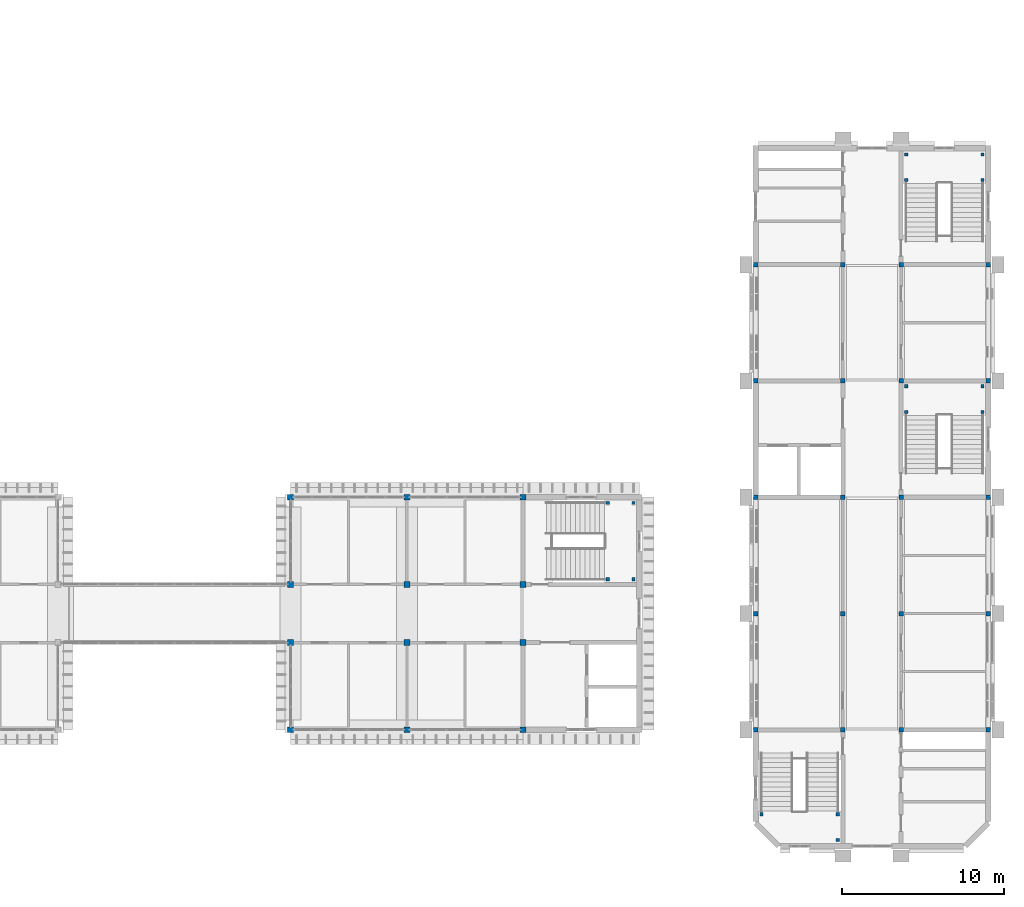
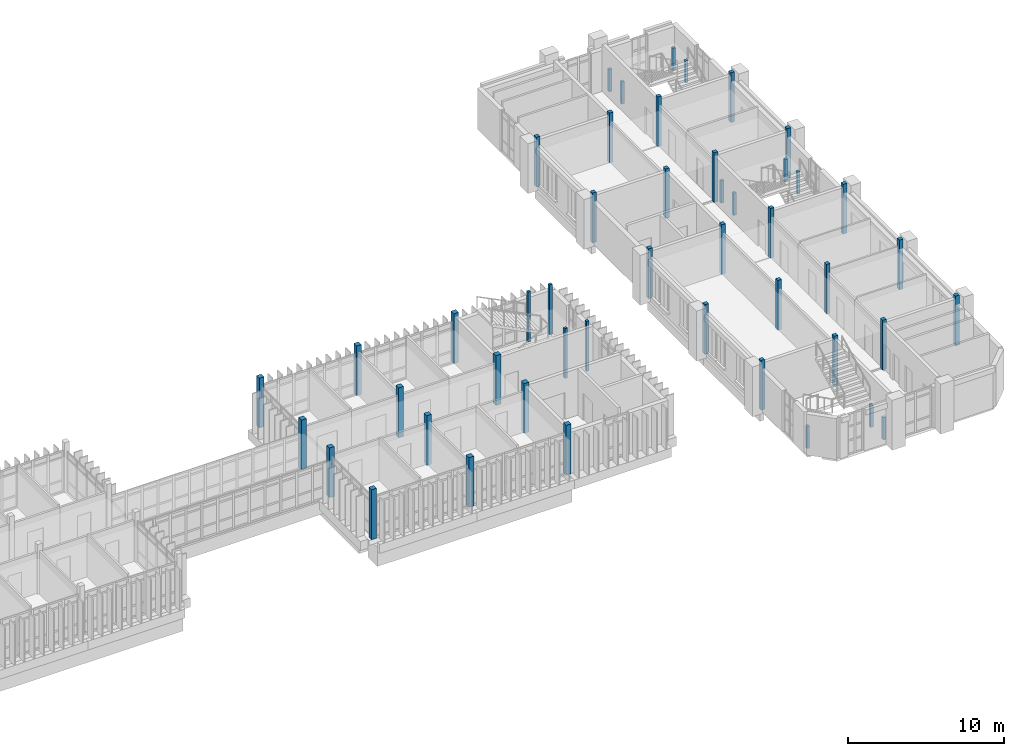
# One storey, part 3 of 69: 47 columns.
"""IFC4 building model written with IfcOpenShell, lengths in metres."""

import ifcopenshell
import ifcopenshell.guid

model = None  # the IFC model being written
_history = None  # IfcOwnerHistory: only IFC2X3 demands one
_inside = {}  # id of a spatial element -> (the spatial element, [elements in it])
_under = {}  # id of a project, library or spatial element -> (it, [spatial elements below it])
_declared = {}  # id of a project -> (the project, [libraries it declares])
_typed = {}  # id of a type object -> (the type object, [elements of that type])
_made_of = {}  # id of a material, layer set ... -> (it, [elements and type objects made of it])


def new_model(schema):
    """Start an empty IFC model of exactly this schema.

    Asked for "IFC4X3", IfcOpenShell would pick the latest addendum, in which some entities
    have other attributes; the version numbers below select the first issue.
    IFC2X3 requires an IfcOwnerHistory on every rooted entity: one is made here for all.
    """
    global model, _history
    if schema == "IFC4X3":
        model = ifcopenshell.file(schema_version=(4, 3, 0, 0))
    else:
        model = ifcopenshell.file(schema=schema)
    _inside.clear()
    _under.clear()
    _declared.clear()
    _typed.clear()
    _made_of.clear()
    _history = None
    if model.schema == "IFC2X3":
        org = make("IfcOrganization", Name="unknown")
        user = make(
            "IfcPersonAndOrganization",
            ThePerson=make("IfcPerson", FamilyName="unknown"),
            TheOrganization=org,
        )
        app = make(
            "IfcApplication",
            ApplicationDeveloper=org,
            Version="unknown",
            ApplicationFullName="unknown",
            ApplicationIdentifier="unknown",
        )
        _history = make(
            "IfcOwnerHistory",
            OwningUser=user,
            OwningApplication=app,
            ChangeAction="ADDED",
            CreationDate=0,
        )
    return model


def make(cls, **values):
    """One entity of the class cls with the attributes given. An attribute that is None is left unset."""
    return model.create_entity(
        cls, **{name: value for name, value in values.items() if value is not None}
    )


def rooted(cls, **values):
    """An entity with a GlobalId (a new one), such as an element, a storey or a relation."""
    return make(cls, GlobalId=ifcopenshell.guid.new(), OwnerHistory=_history, **values)


def si_unit(unit_type, name, prefix=None):
    """IfcSIUnit, for example si_unit("LENGTHUNIT", "METRE", prefix="MILLI")."""
    return make("IfcSIUnit", UnitType=unit_type, Prefix=prefix, Name=name)


def assignment(units):
    """IfcUnitAssignment: the units of a project."""
    return None if units is None else make("IfcUnitAssignment", Units=units)


def point(xyz):
    """IfcCartesianPoint."""
    return None if xyz is None else make("IfcCartesianPoint", Coordinates=xyz)


def direction(xyz):
    """IfcDirection."""
    return None if xyz is None else make("IfcDirection", DirectionRatios=xyz)


def frame(location, z_axis=None, x_axis=None):
    """IfcAxis2Placement3D, a coordinate frame: its origin and axes. An axis left out is left unset."""
    return make(
        "IfcAxis2Placement3D",
        Location=point(location),
        Axis=direction(z_axis),
        RefDirection=direction(x_axis),
    )


def frame_2d(location, x_axis=None):
    """IfcAxis2Placement2D, a coordinate frame in the plane: its origin and x axis."""
    return make(
        "IfcAxis2Placement2D", Location=point(location), RefDirection=direction(x_axis)
    )


def origin():
    """The frame at (0, 0, 0) with its axes left unset."""
    return frame((0.0, 0.0, 0.0))


def origin_2d():
    """The frame at (0, 0) in the plane with its x axis left unset."""
    return frame_2d((0.0, 0.0))


def place(relative_to, where):
    """IfcLocalPlacement: puts the frame where relative to a parent placement (None: the world)."""
    return make(
        "IfcLocalPlacement", PlacementRelTo=relative_to, RelativePlacement=where
    )


def context(
    kind, dimensions, precision=None, world=None, true_north=None, identifier=None
):
    """IfcGeometricRepresentationContext, for example the 3D "Model" context."""
    return make(
        "IfcGeometricRepresentationContext",
        ContextIdentifier=identifier,
        ContextType=kind,
        CoordinateSpaceDimension=dimensions,
        Precision=precision,
        WorldCoordinateSystem=world,
        TrueNorth=true_north,
    )


def subcontext(parent, identifier, kind, view, scale=None):
    """IfcGeometricRepresentationSubContext, for example "Body" below "Model"."""
    return make(
        "IfcGeometricRepresentationSubContext",
        ContextIdentifier=identifier,
        ContextType=kind,
        ParentContext=parent,
        TargetScale=scale,
        TargetView=view,
    )


def project(units=None, contexts=None):
    """IfcProject with its units and contexts."""
    return rooted(
        "IfcProject",
        Name="project",
        RepresentationContexts=contexts,
        UnitsInContext=assignment(units),
    )


def spatial(cls, under=None, at=None, **own):
    """A site, building, storey or space (cls), placed at a placement, below another one or the project."""
    s = rooted(cls, ObjectPlacement=at, **own)
    if under is not None:
        _under.setdefault(under.id(), (under, []))[1].append(s)
    return s


def profile(cls, at=None, kind="AREA", **sizes):
    """A parametric profile (cls). Its sizes go by their IFC names, for example OverallWidth=200.0."""
    return make(cls, ProfileType=kind, Position=at, **sizes)


def rectangle(**sizes):
    """IfcRectangleProfileDef."""
    return profile("IfcRectangleProfileDef", **sizes)


def extrude(swept, where, along, depth):
    """IfcExtrudedAreaSolid: the profile swept, set in the frame where, extruded along a direction by depth."""
    return make(
        "IfcExtrudedAreaSolid",
        SweptArea=swept,
        Position=where,
        ExtrudedDirection=direction(along),
        Depth=depth,
    )


def shape(context_of_items, identifier, shape_type, items):
    """IfcShapeRepresentation: the items that make up one representation, for example the "Body"."""
    return make(
        "IfcShapeRepresentation",
        ContextOfItems=context_of_items,
        RepresentationIdentifier=identifier,
        RepresentationType=shape_type,
        Items=items,
    )


def material(Name=None, Category=None):
    """IfcMaterial."""
    return make("IfcMaterial", Name=Name, Category=Category)


def material_profile(
    of_material, cross_section, Name=None, Category=None, Priority=None
):
    """IfcMaterialProfile: a cross section and its material."""
    return make(
        "IfcMaterialProfile",
        Name=Name,
        Material=of_material,
        Profile=cross_section,
        Priority=Priority,
        Category=Category,
    )


def profile_set(profiles, Name=None, composite=None):
    """IfcMaterialProfileSet."""
    return make(
        "IfcMaterialProfileSet",
        Name=Name,
        MaterialProfiles=profiles,
        CompositeProfile=composite,
    )


def made_of(thing, what):
    """Note that an element or type object is made of a material, layer set ...; save() writes the relation."""
    if what is not None:
        _made_of.setdefault(what.id(), (what, []))[1].append(thing)
    return thing


def type_object(cls, material=None, **own):
    """A type object (cls), such as IfcWallType, which elements share."""
    return made_of(rooted(cls, **own), material)


def element(
    cls,
    number,
    at=None,
    inside=None,
    cuts=None,
    type_object=None,
    material=None,
    context=None,
    identifier="Body",
    shape_type=None,
    held_by="IfcProductDefinitionShape",
    body=None,
    shapes=None,
    **own,
):
    """One element of the class cls, such as IfcWall. Its Tag is "e" and its number.

    at: its placement. inside: the storey or other place that contains it. cuts: it is an
    opening in that element (IfcRelVoidsElement). A single representation is given by context,
    identifier, shape_type and body (its items); several are given by shapes. held_by: the class
    of the entity that holds the representations. save() writes the other relations.
    """
    e = rooted(cls, Tag="e%d" % number, ObjectPlacement=at, **own)
    if body is not None:
        shapes = [shape(context, identifier, shape_type, body)]
    if shapes is not None:
        e.Representation = make(held_by, Representations=shapes)
    if inside is not None:
        _inside.setdefault(inside.id(), (inside, []))[1].append(e)
    if cuts is not None:
        rooted(
            "IfcRelVoidsElement", RelatingBuildingElement=cuts, RelatedOpeningElement=e
        )
    if type_object is not None:
        _typed.setdefault(type_object.id(), (type_object, []))[1].append(e)
    return made_of(e, material)


def aggregate(whole, parts):
    """IfcRelAggregates: a whole, such as a stair, and the parts it consists of."""
    return rooted("IfcRelAggregates", RelatingObject=whole, RelatedObjects=parts)


def save(model, path):
    """Write the relations noted so far, then the file.

    IfcRelAggregates (storeys below a building ...), IfcRelContainedInSpatialStructure (elements
    in a storey), IfcRelDefinesByType, IfcRelAssociatesMaterial and IfcRelDeclares: one each for
    every whole, place, type object, material and project.
    """
    for whole, parts in _under.values():
        aggregate(whole, parts)
    for where, things in _inside.values():
        rooted(
            "IfcRelContainedInSpatialStructure",
            RelatedElements=things,
            RelatingStructure=where,
        )
    for kind, things in _typed.values():
        rooted("IfcRelDefinesByType", RelatedObjects=things, RelatingType=kind)
    for what, things in _made_of.values():
        rooted("IfcRelAssociatesMaterial", RelatedObjects=things, RelatingMaterial=what)
    for by, libraries in _declared.values():
        rooted("IfcRelDeclares", RelatingContext=by, RelatedDefinitions=libraries)
    model.write(path)


model = new_model("IFC4")

# Units and contexts
model_context = context("Model", 3, precision=1e-05, world=origin(), true_north=direction((0.0, 1.0)))
body_context = subcontext(model_context, "Body", "Model", "MODEL_VIEW")
ifc_project = project(units=[si_unit("LENGTHUNIT", "METRE"), si_unit("AREAUNIT", "SQUARE_METRE"), si_unit("VOLUMEUNIT", "CUBIC_METRE"), si_unit("PLANEANGLEUNIT", "RADIAN"), si_unit("MASSUNIT", "GRAM", prefix="KILO")], contexts=[model_context])

# Site, building, storey
site_placement = place(None, origin())
site = spatial("IfcSite", under=ifc_project, at=site_placement, CompositionType="ELEMENT")
building_placement = place(site_placement, origin())
building = spatial("IfcBuilding", under=site, at=building_placement, Name="Mazhai Court Health Centre", CompositionType="ELEMENT")
storey_placement = place(building_placement, frame((0.0, 0.0, 6.300048828125)))
storey = spatial("IfcBuildingStorey", under=building, at=storey_placement, Name="L01", CompositionType="ELEMENT", Elevation=6.300048828125)

# Columns
ifc_material_1 = material(Name="Glulam GL28h", Category="wood")
ifc_material_profile_1 = material_profile(ifc_material_1, rectangle(XDim=0.280029296875, YDim=0.280029296875, at=origin_2d()), Name="GL28h 280x280")
ifc_profile_set_1 = profile_set([ifc_material_profile_1], Name="Glulam GL28h")
column_type_1 = type_object("IfcColumnType", Name="GL28h 280x280 column", PredefinedType="COLUMN", material=ifc_profile_set_1)
for number, where, z_axis, x_axis, name in (
    (1, (135.800048828125, 13.39990234375, 0.0), (0.0, 0.0, 1.0), (1.0, 0.0, 0.0), "col-V6-L01-01-A"),
    (2, (141.199951171875, 13.39990234375, 0.0), (0.0, 0.0, 1.0), (1.0, 0.0, 0.0), "col-V6-L01-01-B"),
    (3, (144.800048828125, 13.39990234375, 0.0), (0.0, 0.0, 1.0), (1.0, 0.0, 0.0), "col-V6-L01-01-C"),
    (4, (150.199951171875, 13.39990234375, 0.0), (0.0, 0.0, 1.0), (1.0, 0.0, 0.0), "col-V6-L01-01-D"),
    (5, (135.800048828125, 20.60009765625, 0.0), (0.0, 0.0, 1.0), (1.0, 0.0, 0.0), "col-V6-L01-02-A"),
    (6, (141.199951171875, 20.60009765625, 0.0), (0.0, 0.0, 1.0), (1.0, 0.0, 0.0), "col-V6-L01-02-B"),
    (7, (144.800048828125, 20.60009765625, 0.0), (0.0, 0.0, 1.0), (1.0, 0.0, 0.0), "col-V6-L01-02-C"),
    (8, (150.199951171875, 20.60009765625, 0.0), (0.0, 0.0, 1.0), (1.0, 0.0, 0.0), "col-V6-L01-02-D"),
    (9, (135.800048828125, 27.800048828125, 0.0), (0.0, 0.0, 1.0), (1.0, 0.0, 0.0), "col-V6-L01-03-A"),
    (10, (141.199951171875, 27.800048828125, 0.0), (0.0, 0.0, 1.0), (1.0, 0.0, 0.0), "col-V6-L01-03-B"),
    (11, (144.800048828125, 27.800048828125, 0.0), (0.0, 0.0, 1.0), (1.0, 0.0, 0.0), "col-V6-L01-03-C"),
    (12, (150.199951171875, 27.800048828125, 0.0), (0.0, 0.0, 1.0), (1.0, 0.0, 0.0), "col-V6-L01-03-D"),
    (13, (135.800048828125, 35.0, 0.0), (0.0, 0.0, 1.0), (1.0, 0.0, 0.0), "col-V6-L01-04-A"),
    (14, (141.199951171875, 35.0, 0.0), (0.0, 0.0, 1.0), (1.0, 0.0, 0.0), "col-V6-L01-04-B"),
    (15, (144.800048828125, 35.0, 0.0), (0.0, 0.0, 1.0), (1.0, 0.0, 0.0), "col-V6-L01-04-C"),
    (16, (150.199951171875, 35.0, 0.0), (0.0, 0.0, 1.0), (1.0, 0.0, 0.0), "col-V6-L01-04-D"),
    (17, (135.800048828125, 42.199951171875, 0.0), (0.0, 0.0, 1.0), (1.0, 0.0, 0.0), "col-V6-L01-05-A"),
    (18, (141.199951171875, 42.199951171875, 0.0), (0.0, 0.0, 1.0), (1.0, 0.0, 0.0), "col-V6-L01-05-B"),
    (19, (144.800048828125, 42.199951171875, 0.0), (0.0, 0.0, 1.0), (1.0, 0.0, 0.0), "col-V6-L01-05-C"),
    (20, (150.199951171875, 42.199951171875, 0.0), (0.0, 0.0, 1.0), (1.0, 0.0, 0.0), "col-V6-L01-05-D"),
):
    element("IfcColumn", number, at=place(storey_placement, frame(where, z_axis=z_axis, x_axis=x_axis)), inside=storey, type_object=column_type_1, Name=name, PredefinedType="COLUMN", context=body_context, shape_type="SweptSolid", body=[
        extrude(rectangle(XDim=0.280029296875, YDim=0.280029296875, at=origin_2d()), origin(), (0.0, 0.0, 1.0), 3.89990234375),
    ])
ifc_material_2 = material(Name="Glulam GL28h", Category="wood")
ifc_material_profile_2 = material_profile(ifc_material_2, rectangle(XDim=0.360107421875, YDim=0.360107421875, at=origin_2d()), Name="GL28h 360x360")
ifc_profile_set_2 = profile_set([ifc_material_profile_2], Name="Glulam GL28h")
column_type_2 = type_object("IfcColumnType", Name="GL28h 360x360 column", PredefinedType="COLUMN", material=ifc_profile_set_2)
for number, where, z_axis, x_axis, name in (
    (21, (107.0, 13.39990234375, 0.0), (0.0, 0.0, 1.0), (1.0, 0.0, 0.0), "col-V4-L01-05-A"),
    (22, (107.0, 18.800048828125, 0.0), (0.0, 0.0, 1.0), (1.0, 0.0, 0.0), "col-V4-L01-05-B"),
    (23, (107.0, 22.39990234375, 0.0), (0.0, 0.0, 1.0), (1.0, 0.0, 0.0), "col-V4-L01-05-C"),
    (24, (107.0, 27.800048828125, 0.0), (0.0, 0.0, 1.0), (1.0, 0.0, 0.0), "col-V4-L01-05-D"),
    (25, (114.199951171875, 13.39990234375, 0.0), (0.0, 0.0, 1.0), (1.0, 0.0, 0.0), "col-V4-L01-06-A"),
    (26, (114.199951171875, 18.800048828125, 0.0), (0.0, 0.0, 1.0), (1.0, 0.0, 0.0), "col-V4-L01-06-B"),
    (27, (114.199951171875, 22.39990234375, 0.0), (0.0, 0.0, 1.0), (1.0, 0.0, 0.0), "col-V4-L01-06-C"),
    (28, (114.199951171875, 27.800048828125, 0.0), (0.0, 0.0, 1.0), (1.0, 0.0, 0.0), "col-V4-L01-06-D"),
    (29, (121.39990234375, 13.39990234375, 0.0), (0.0, 0.0, 1.0), (1.0, 0.0, 0.0), "col-V4-L01-07-A"),
    (30, (121.39990234375, 18.800048828125, 0.0), (0.0, 0.0, 1.0), (1.0, 0.0, 0.0), "col-V4-L01-07-B"),
    (31, (121.39990234375, 22.39990234375, 0.0), (0.0, 0.0, 1.0), (1.0, 0.0, 0.0), "col-V4-L01-07-C"),
    (32, (121.39990234375, 27.800048828125, 0.0), (0.0, 0.0, 1.0), (1.0, 0.0, 0.0), "col-V4-L01-07-D"),
):
    element("IfcColumn", number, at=place(storey_placement, frame(where, z_axis=z_axis, x_axis=x_axis)), inside=storey, type_object=column_type_2, Name=name, PredefinedType="COLUMN", context=body_context, shape_type="SweptSolid", body=[
        extrude(rectangle(XDim=0.360107421875, YDim=0.360107421875, at=origin_2d()), origin(), (0.0, 0.0, 1.0), 3.89990234375),
    ])
ifc_material_3 = material(Name="Concrete M40", Category="concrete")
ifc_material_profile_3 = material_profile(ifc_material_3, rectangle(XDim=0.199951171875, YDim=0.199951171875, at=origin_2d()), Name="RC 200x200")
ifc_profile_set_3 = profile_set([ifc_material_profile_3], Name="Concrete M40")
column_type_3 = type_object("IfcColumnType", Name="RC STAIR LANDING POST 200 M40", PredefinedType="COLUMN", material=ifc_profile_set_3)
for number, where, z_axis, x_axis, name in (
    (33, (128.239990234375, 22.719970703125, 0.0), (0.0, 0.0, 1.0), (1.0, 0.0, 0.0), "post-ST7-04"),
    (34, (128.239990234375, 27.43994140625, 0.0), (0.0, 0.0, 1.0), (1.0, 0.0, 0.0), "post-ST7-08"),
    (35, (126.639892578125, 22.719970703125, 0.0), (0.0, 0.0, 1.0), (1.0, 0.0, 0.0), "post-ST7-16"),
    (36, (126.639892578125, 27.43994140625, 0.0), (0.0, 0.0, 1.0), (1.0, 0.0, 0.0), "post-ST7-20"),
):
    element("IfcColumn", number, at=place(storey_placement, frame(where, z_axis=z_axis, x_axis=x_axis)), inside=storey, type_object=column_type_3, Name=name, PredefinedType="COLUMN", context=body_context, shape_type="SweptSolid", body=[
        extrude(rectangle(XDim=0.199951171875, YDim=0.199951171875, at=origin_2d()), origin(), (0.0, 0.0, 1.0), 3.89990234375),
    ])
for number, where, z_axis, x_axis, name in (
    (37, (140.8798828125, 6.570068359375, 0.0), (0.0, 0.0, 1.0), (1.0, 0.0, 0.0), "post-ST8-03"),
    (38, (136.159912109375, 8.169921875, 0.0), (0.0, 0.0, 1.0), (1.0, 0.0, 0.0), "post-ST8-10"),
    (39, (140.8798828125, 8.169921875, 0.0), (0.0, 0.0, 1.0), (1.0, 0.0, 0.0), "post-ST8-12"),
    (40, (145.1201171875, 34.669921875, 0.0), (0.0, 0.0, 1.0), (1.0, 0.0, 0.0), "post-ST9-03"),
    (41, (149.840087890625, 34.669921875, 0.0), (0.0, 0.0, 1.0), (1.0, 0.0, 0.0), "post-ST9-06"),
    (42, (145.1201171875, 33.080078125, 0.0), (0.0, 0.0, 1.0), (1.0, 0.0, 0.0), "post-ST9-12"),
    (43, (149.840087890625, 33.080078125, 0.0), (0.0, 0.0, 1.0), (1.0, 0.0, 0.0), "post-ST9-14"),
    (44, (145.1201171875, 49.030029296875, 0.0), (0.0, 0.0, 1.0), (1.0, 0.0, 0.0), "post-ST10-03"),
    (45, (149.840087890625, 49.030029296875, 0.0), (0.0, 0.0, 1.0), (1.0, 0.0, 0.0), "post-ST10-06"),
    (46, (145.1201171875, 47.43994140625, 0.0), (0.0, 0.0, 1.0), (1.0, 0.0, 0.0), "post-ST10-12"),
    (47, (149.840087890625, 47.43994140625, 0.0), (0.0, 0.0, 1.0), (1.0, 0.0, 0.0), "post-ST10-14"),
):
    element("IfcColumn", number, at=place(storey_placement, frame(where, z_axis=z_axis, x_axis=x_axis)), inside=storey, type_object=column_type_3, Name=name, PredefinedType="COLUMN", context=body_context, shape_type="SweptSolid", body=[
        extrude(rectangle(XDim=0.199951171875, YDim=0.199951171875, at=origin_2d()), origin(), (0.0, 0.0, 1.0), 1.75),
    ])

save(model, "model.ifc")
